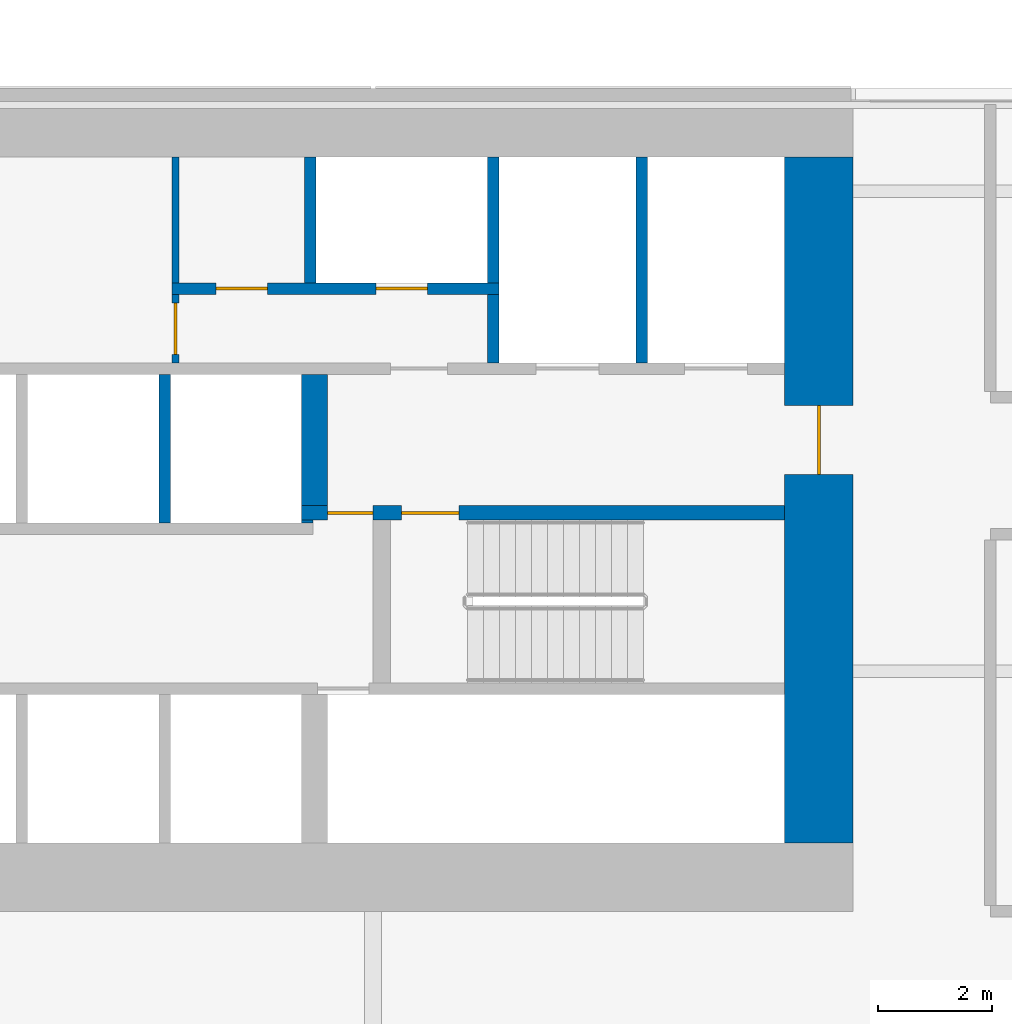
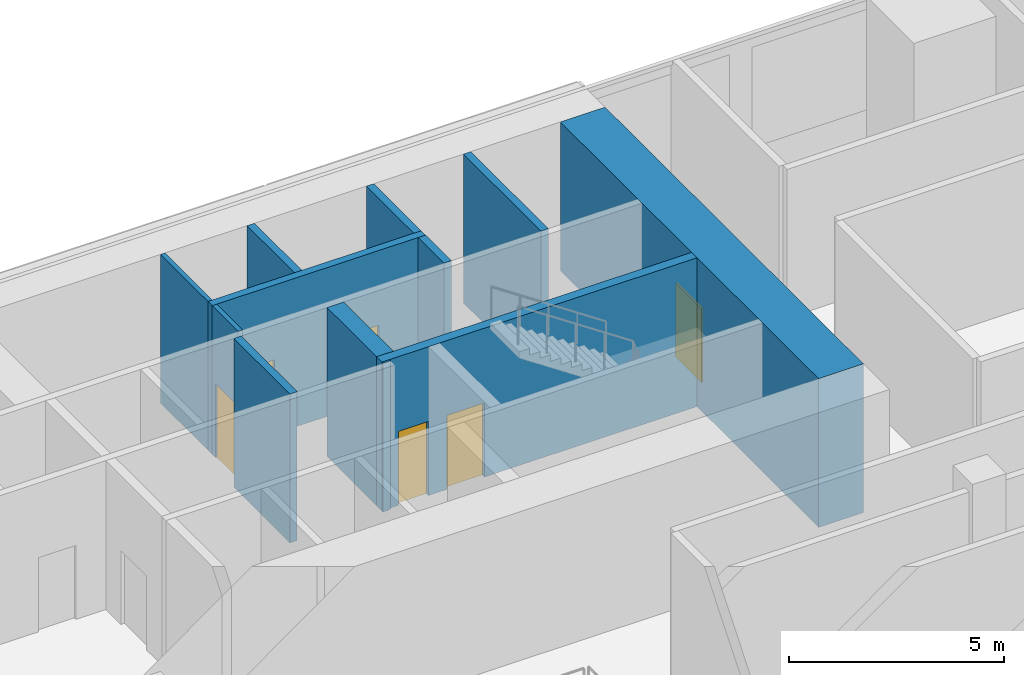
# One storey, part 18 of 23: 12 walls, 6 doors, 6 openings.
"""IFC4 building model written with IfcOpenShell, lengths in metres."""

from ifc_helpers import new_model, si_unit, direction, frame, frame_2d, origin, place, context, subcontext, project, spatial, rectangle, extrude, material, layer, layer_set, type_object, element, fill, save


model = new_model("IFC4")

# Units and contexts
model_context = context("Model", 3, precision=1e-05, world=origin(), true_north=direction((0.0, 1.0)))
body_context = subcontext(model_context, "Body", "Model", "MODEL_VIEW")
ifc_project = project(units=[si_unit("LENGTHUNIT", "METRE"), si_unit("AREAUNIT", "SQUARE_METRE"), si_unit("VOLUMEUNIT", "CUBIC_METRE"), si_unit("PLANEANGLEUNIT", "RADIAN"), si_unit("MASSUNIT", "GRAM", prefix="KILO")], contexts=[model_context])

# Site, building, storey
site_placement = place(None, origin())
site = spatial("IfcSite", under=ifc_project, at=site_placement, CompositionType="ELEMENT")
building_placement = place(site_placement, origin())
building = spatial("IfcBuilding", under=site, at=building_placement, Name="Saffron Gate Tower", CompositionType="ELEMENT")
storey_placement = place(building_placement, frame((0.0, 0.0, 32.699951171875)))
storey = spatial("IfcBuildingStorey", under=building, at=storey_placement, Name="L06", CompositionType="ELEMENT", Elevation=32.699951171875)

# Wall, opening, door
ifc_material_1 = material(Name="Concrete C70", Category="concrete")
ifc_layer_1 = layer(ifc_material_1, 1.199951171875)
ifc_layer_set_1 = layer_set([ifc_layer_1], Name="CW1 RC core wall 1200 C70")
wall_type_1 = type_object("IfcWallType", Name="CW1 RC core wall 1200 C70", PredefinedType="SOLIDWALL", material=ifc_layer_set_1)
wall_1_placement = place(storey_placement, frame((108.0, 62.39990234375, 0.0), z_axis=(0.0, 0.0, 1.0), x_axis=(0.0, 1.0, 0.0)))
wall_1 = element("IfcWall", 1, at=wall_1_placement, inside=storey, type_object=wall_type_1, Name="Wall CW1-L06-4", PredefinedType="SOLIDWALL", context=body_context, shape_type="SweptSolid", body=[
    extrude(rectangle(XDim=12.0, YDim=1.199951171875, at=frame_2d((6.0, 0.0))), origin(), (0.0, 0.0, 1.0), 4.219970703125),
])
opening_1_placement = place(wall_1_placement, frame((6.449951171875, 0.0, 0.0)))
opening_1 = element("IfcOpeningElement", 2, at=opening_1_placement, cuts=wall_1, Name="Opening CR-08", PredefinedType="OPENING", context=body_context, shape_type="SweptSolid", body=[
    extrude(rectangle(XDim=1.199951171875, YDim=2.10009765625, at=frame_2d((0.60009765625, 1.050048828125))), frame((0.0, 0.60986328125, 0.0), z_axis=(0.0, -1.0, 0.0), x_axis=(1.0, 0.0, 0.0)), (0.0, 0.0, 1.0), 1.219970703125),
])
ifc_material_2 = material(Name="Steel fire door set", Category="steel")
door_type_1 = type_object("IfcDoorType", Name="CD7 Core entrance door 1200x2100 EI 120", OperationType="NOTDEFINED", PredefinedType="DOOR", material=ifc_material_2)
door_1_placement = place(opening_1_placement, origin())
door_1 = element("IfcDoor", 3, at=door_1_placement, inside=storey, type_object=door_type_1, Name="DOOR CR-08", OperationType="SINGLE_SWING_RIGHT", OverallHeight=2.10009765625, OverallWidth=1.199951171875, PredefinedType="DOOR", context=body_context, shape_type="SweptSolid", body=[
    extrude(rectangle(XDim=1.199951171875, YDim=2.10009765625, at=frame_2d((0.60009765625, 1.050048828125))), frame((0.0, 0.02490234375, 0.0), z_axis=(0.0, -1.0, 0.0), x_axis=(1.0, 0.0, 0.0)), (0.0, 0.0, 1.0), 0.050048828125),
])
fill(opening_1, door_1)

# Wall, openings, doors
ifc_layer_2 = layer(ifc_material_1, 0.25)
ifc_layer_set_2 = layer_set([ifc_layer_2], Name="CW2 RC core wall 250 C70")
wall_type_2 = type_object("IfcWallType", Name="CW2 RC core wall 250 C70", PredefinedType="SOLIDWALL", material=ifc_layer_set_2)
wall_2_placement = place(storey_placement, frame((98.949951171875, 68.175048828125, 0.0), z_axis=(0.0, 0.0, 1.0), x_axis=(1.0, 0.0, 0.0)))
wall_2 = element("IfcWall", 4, at=wall_2_placement, inside=storey, type_object=wall_type_2, Name="Wall CW2-L06-31", PredefinedType="SOLIDWALL", context=body_context, shape_type="SweptSolid", body=[
    extrude(rectangle(XDim=8.449951171875, YDim=0.25, at=frame_2d((4.22509765625, 0.0))), origin(), (0.0, 0.0, 1.0), 4.219970703125),
])
opening_2_placement = place(wall_2_placement, frame((0.449951171875, 0.0, 0.0)))
opening_2 = element("IfcOpeningElement", 5, at=opening_2_placement, cuts=wall_2, Name="Opening CR-05", PredefinedType="OPENING", context=body_context, shape_type="SweptSolid", body=[
    extrude(rectangle(XDim=0.800048828125, YDim=2.10009765625, at=frame_2d((0.39990234375, 1.050048828125))), frame((0.0, 0.135009765625, 0.0), z_axis=(0.0, -1.0, 0.0), x_axis=(1.0, 0.0, 0.0)), (0.0, 0.0, 1.0), 0.27001953125),
])
opening_3_placement = place(wall_2_placement, frame((1.75, 0.0, 0.0)))
opening_3 = element("IfcOpeningElement", 6, at=opening_3_placement, cuts=wall_2, Name="Opening CR-16", PredefinedType="OPENING", context=body_context, shape_type="SweptSolid", body=[
    extrude(rectangle(XDim=1.0, YDim=2.10009765625, at=frame_2d((0.5, 1.050048828125))), frame((0.0, 0.135009765625, 0.0), z_axis=(0.0, -1.0, 0.0), x_axis=(1.0, 0.0, 0.0)), (0.0, 0.0, 1.0), 0.27001953125),
])
door_type_2 = type_object("IfcDoorType", Name="CD5 Stair door 1000x2100 EI 120", OperationType="NOTDEFINED", PredefinedType="DOOR", material=ifc_material_2)
door_2_placement = place(opening_3_placement, origin())
door_2 = element("IfcDoor", 7, at=door_2_placement, inside=storey, type_object=door_type_2, Name="DOOR CR-16", OperationType="SINGLE_SWING_RIGHT", OverallHeight=2.10009765625, OverallWidth=1.0, PredefinedType="DOOR", context=body_context, shape_type="SweptSolid", body=[
    extrude(rectangle(XDim=1.0, YDim=2.10009765625, at=frame_2d((0.5, 1.050048828125))), frame((0.0, 0.02490234375, 0.0), z_axis=(0.0, -1.0, 0.0), x_axis=(1.0, 0.0, 0.0)), (0.0, 0.0, 1.0), 0.050048828125),
])
fill(opening_3, door_2)
door_type_3 = type_object("IfcDoorType", Name="CD6 Lobby door 800x2100 EI 120", OperationType="NOTDEFINED", PredefinedType="DOOR", material=ifc_material_2)
door_3_placement = place(opening_2_placement, origin())
door_3 = element("IfcDoor", 8, at=door_3_placement, inside=storey, type_object=door_type_3, Name="DOOR CR-05", OperationType="SINGLE_SWING_LEFT", OverallHeight=2.10009765625, OverallWidth=0.800048828125, PredefinedType="DOOR", context=body_context, shape_type="SweptSolid", body=[
    extrude(rectangle(XDim=0.800048828125, YDim=2.10009765625, at=frame_2d((0.39990234375, 1.050048828125))), frame((0.0, 0.02490234375, 0.0), z_axis=(0.0, -1.0, 0.0), x_axis=(1.0, 0.0, 0.0)), (0.0, 0.0, 1.0), 0.050048828125),
])
fill(opening_2, door_3)

# Walls
ifc_layer_3 = layer(ifc_material_1, 0.199951171875)
ifc_layer_set_3 = layer_set([ifc_layer_3], Name="CW3 RC core wall 200 C70")
wall_type_3 = type_object("IfcWallType", Name="CW3 RC core wall 200 C70", PredefinedType="SOLIDWALL", material=ifc_layer_set_3)
wall_3_placement = place(storey_placement, frame((96.550048828125, 68.0, 0.0), z_axis=(0.0, 0.0, 1.0), x_axis=(0.0, 1.0, 0.0)))
element("IfcWall", 9, at=wall_3_placement, inside=storey, type_object=wall_type_3, Name="Wall CW3-L06-28", PredefinedType="SOLIDWALL", context=body_context, shape_type="SweptSolid", body=[
    extrude(rectangle(XDim=2.60009765625, YDim=0.199951171875, at=frame_2d((1.300048828125, 0.0))), origin(), (0.0, 0.0, 1.0), 4.219970703125),
])
wall_4_placement = place(storey_placement, frame((102.300048828125, 70.800048828125, 0.0), z_axis=(0.0, 0.0, 1.0), x_axis=(0.0, 1.0, 0.0)))
element("IfcWall", 10, at=wall_4_placement, inside=storey, type_object=wall_type_3, Name="Wall CW3-L06-40", PredefinedType="SOLIDWALL", context=body_context, shape_type="SweptSolid", body=[
    extrude(rectangle(XDim=1.199951171875, YDim=0.199951171875, at=frame_2d((0.60009765625, 0.0))), origin(), (0.0, 0.0, 1.0), 4.219970703125),
])
wall_5_placement = place(storey_placement, frame((104.89990234375, 70.800048828125, 0.0), z_axis=(0.0, 0.0, 1.0), x_axis=(0.0, 1.0, 0.0)))
element("IfcWall", 11, at=wall_5_placement, inside=storey, type_object=wall_type_3, Name="Wall CW3-L06-41", PredefinedType="SOLIDWALL", context=body_context, shape_type="SweptSolid", body=[
    extrude(rectangle(XDim=3.599853515625, YDim=0.199951171875, at=frame_2d((1.7998046875, 0.0))), origin(), (0.0, 0.0, 1.0), 4.219970703125),
])

# Wall, openings, doors
wall_6_placement = place(storey_placement, frame((96.679931640625, 72.10009765625, 0.0), z_axis=(0.0, 0.0, 1.0), x_axis=(1.0, 0.0, 0.0)))
wall_6 = element("IfcWall", 12, at=wall_6_placement, inside=storey, type_object=wall_type_3, Name="Wall CW3-L06-43", PredefinedType="SOLIDWALL", context=body_context, shape_type="SweptSolid", body=[
    extrude(rectangle(XDim=5.719970703125, YDim=0.199951171875, at=frame_2d((2.85986328125, 0.0))), origin(), (0.0, 0.0, 1.0), 4.219970703125),
])
opening_4_placement = place(wall_6_placement, frame((0.77001953125, 0.0, 0.0)))
opening_4 = element("IfcOpeningElement", 13, at=opening_4_placement, cuts=wall_6, Name="Opening CR-50", PredefinedType="OPENING", context=body_context, shape_type="SweptSolid", body=[
    extrude(rectangle(XDim=0.89990234375, YDim=2.10009765625, at=frame_2d((0.449951171875, 1.050048828125))), frame((0.0, 0.10986328125, 0.0), z_axis=(0.0, -1.0, 0.0), x_axis=(1.0, 0.0, 0.0)), (0.0, 0.0, 1.0), 0.219970703125),
])
opening_5_placement = place(wall_6_placement, frame((3.570068359375, 0.0, 0.0)))
opening_5 = element("IfcOpeningElement", 14, at=opening_5_placement, cuts=wall_6, Name="Opening CR-70", PredefinedType="OPENING", context=body_context, shape_type="SweptSolid", body=[
    extrude(rectangle(XDim=0.89990234375, YDim=2.10009765625, at=frame_2d((0.449951171875, 1.050048828125))), frame((0.0, 0.10986328125, 0.0), z_axis=(0.0, -1.0, 0.0), x_axis=(1.0, 0.0, 0.0)), (0.0, 0.0, 1.0), 0.219970703125),
])
door_type_4 = type_object("IfcDoorType", Name="CD2 Riser door 900x2100 EI 60", OperationType="NOTDEFINED", PredefinedType="DOOR", material=ifc_material_2)
door_4_placement = place(opening_5_placement, origin())
door_4 = element("IfcDoor", 15, at=door_4_placement, inside=storey, type_object=door_type_4, Name="DOOR CR-70", OperationType="SINGLE_SWING_LEFT", OverallHeight=2.10009765625, OverallWidth=0.89990234375, PredefinedType="DOOR", context=body_context, shape_type="SweptSolid", body=[
    extrude(rectangle(XDim=0.89990234375, YDim=2.10009765625, at=frame_2d((0.449951171875, 1.050048828125))), frame((0.0, 0.02490234375, 0.0), z_axis=(0.0, -1.0, 0.0), x_axis=(1.0, 0.0, 0.0)), (0.0, 0.0, 1.0), 0.050048828125),
])
fill(opening_5, door_4)
door_type_5 = type_object("IfcDoorType", Name="CD9 Room door 900x2100 EI 60", OperationType="NOTDEFINED", PredefinedType="DOOR", material=ifc_material_2)
door_5_placement = place(opening_4_placement, origin())
door_5 = element("IfcDoor", 16, at=door_5_placement, inside=storey, type_object=door_type_5, Name="DOOR CR-50", OperationType="SINGLE_SWING_LEFT", OverallHeight=2.10009765625, OverallWidth=0.89990234375, PredefinedType="DOOR", context=body_context, shape_type="SweptSolid", body=[
    extrude(rectangle(XDim=0.89990234375, YDim=2.10009765625, at=frame_2d((0.449951171875, 1.050048828125))), frame((0.0, 0.02490234375, 0.0), z_axis=(0.0, -1.0, 0.0), x_axis=(1.0, 0.0, 0.0)), (0.0, 0.0, 1.0), 0.050048828125),
])
fill(opening_4, door_5)

# Walls
for number, where, z_axis, x_axis, name in (
    (17, (99.10009765625, 72.199951171875, 0.0), (0.0, 0.0, 1.0), (0.0, 1.0, 0.0), "Wall CW3-L06-50"),
    (18, (102.300048828125, 72.199951171875, 0.0), (0.0, 0.0, 1.0), (0.0, 1.0, 0.0), "Wall CW3-L06-51"),
):
    element("IfcWall", number, at=place(storey_placement, frame(where, z_axis=z_axis, x_axis=x_axis)), inside=storey, type_object=wall_type_3, Name=name, PredefinedType="SOLIDWALL", context=body_context, shape_type="SweptSolid", body=[
        extrude(rectangle(XDim=2.199951171875, YDim=0.199951171875, at=frame_2d((1.10009765625, 0.0))), origin(), (0.0, 0.0, 1.0), 4.219970703125),
    ])
ifc_layer_4 = layer(ifc_material_1, 0.449951171875)
ifc_layer_set_4 = layer_set([ifc_layer_4], Name="CW4 RC core wall 450 C70")
wall_type_4 = type_object("IfcWallType", Name="CW4 RC core wall 450 C70", PredefinedType="SOLIDWALL", material=ifc_layer_set_4)
wall_7_placement = place(storey_placement, frame((99.175048828125, 68.300048828125, 0.0), z_axis=(0.0, 0.0, 1.0), x_axis=(0.0, 1.0, 0.0)))
element("IfcWall", 19, at=wall_7_placement, inside=storey, type_object=wall_type_4, Name="Wall CW4-L06-33", PredefinedType="SOLIDWALL", context=body_context, shape_type="SweptSolid", body=[
    extrude(rectangle(XDim=2.300048828125, YDim=0.449951171875, at=frame_2d((1.14990234375, 0.0))), origin(), (0.0, 0.0, 1.0), 4.219970703125),
])
ifc_layer_5 = layer(ifc_material_1, 0.050048828125)
ifc_layer_set_5 = layer_set([ifc_layer_5], Name="CW6 RC core wall 50 C70")
wall_type_5 = type_object("IfcWallType", Name="CW6 RC core wall 50 C70", PredefinedType="SOLIDWALL", material=ifc_layer_set_5)
wall_8_placement = place(storey_placement, frame((98.949951171875, 68.02490234375, 0.0), z_axis=(0.0, 0.0, 1.0), x_axis=(1.0, 0.0, 0.0)))
element("IfcWall", 20, at=wall_8_placement, inside=storey, type_object=wall_type_5, Name="Wall CW6-L06-29", PredefinedType="SOLIDWALL", context=body_context, shape_type="SweptSolid", body=[
    extrude(rectangle(XDim=0.199951171875, YDim=0.050048828125, at=frame_2d((0.10009765625, 0.0))), origin(), (0.0, 0.0, 1.0), 4.219970703125),
])

# Wall, opening, door
ifc_material_3 = material(Name="Gypsum board partition on steel studs", Category="steel")
ifc_layer_6 = layer(ifc_material_3, 0.1201171875)
ifc_layer_set_6 = layer_set([ifc_layer_6], Name="CW8 Core partition 120")
wall_type_6 = type_object("IfcWallType", Name="CW8 Core partition 120", PredefinedType="PARTITIONING", material=ifc_layer_set_6)
wall_9_placement = place(storey_placement, frame((96.739990234375, 70.800048828125, 0.0), z_axis=(0.0, 0.0, 1.0), x_axis=(0.0, 1.0, 0.0)))
wall_9 = element("IfcWall", 21, at=wall_9_placement, inside=storey, type_object=wall_type_6, Name="Wall CW8-L06-39", PredefinedType="PARTITIONING", context=body_context, shape_type="SweptSolid", body=[
    extrude(rectangle(XDim=1.199951171875, YDim=0.1201171875, at=frame_2d((0.60009765625, 0.0))), origin(), (0.0, 0.0, 1.0), 4.219970703125),
])
opening_6_placement = place(wall_9_placement, frame((0.14990234375, 0.0, 0.0)))
opening_6 = element("IfcOpeningElement", 22, at=opening_6_placement, cuts=wall_9, Name="Opening CR-54", PredefinedType="OPENING", context=body_context, shape_type="SweptSolid", body=[
    extrude(rectangle(XDim=0.89990234375, YDim=2.10009765625, at=frame_2d((0.449951171875, 1.050048828125))), frame((0.0, 0.070068359375, 0.0), z_axis=(0.0, -1.0, 0.0), x_axis=(1.0, 0.0, 0.0)), (0.0, 0.0, 1.0), 0.14013671875),
])
door_6_placement = place(opening_6_placement, origin())
door_6 = element("IfcDoor", 23, at=door_6_placement, inside=storey, type_object=door_type_5, Name="DOOR CR-54", OperationType="SINGLE_SWING_LEFT", OverallHeight=2.10009765625, OverallWidth=0.89990234375, PredefinedType="DOOR", context=body_context, shape_type="SweptSolid", body=[
    extrude(rectangle(XDim=0.89990234375, YDim=2.10009765625, at=frame_2d((0.449951171875, 1.050048828125))), frame((0.0, 0.02490234375, 0.0), z_axis=(0.0, -1.0, 0.0), x_axis=(1.0, 0.0, 0.0)), (0.0, 0.0, 1.0), 0.050048828125),
])
fill(opening_6, door_6)

# Wall
wall_10_placement = place(storey_placement, frame((96.739990234375, 72.199951171875, 0.0), z_axis=(0.0, 0.0, 1.0), x_axis=(0.0, 1.0, 0.0)))
element("IfcWall", 24, at=wall_10_placement, inside=storey, type_object=wall_type_6, Name="Wall CW8-L06-49", PredefinedType="PARTITIONING", context=body_context, shape_type="SweptSolid", body=[
    extrude(rectangle(XDim=2.199951171875, YDim=0.1201171875, at=frame_2d((1.10009765625, 0.0))), origin(), (0.0, 0.0, 1.0), 4.219970703125),
])

save(model, "model.ifc")
